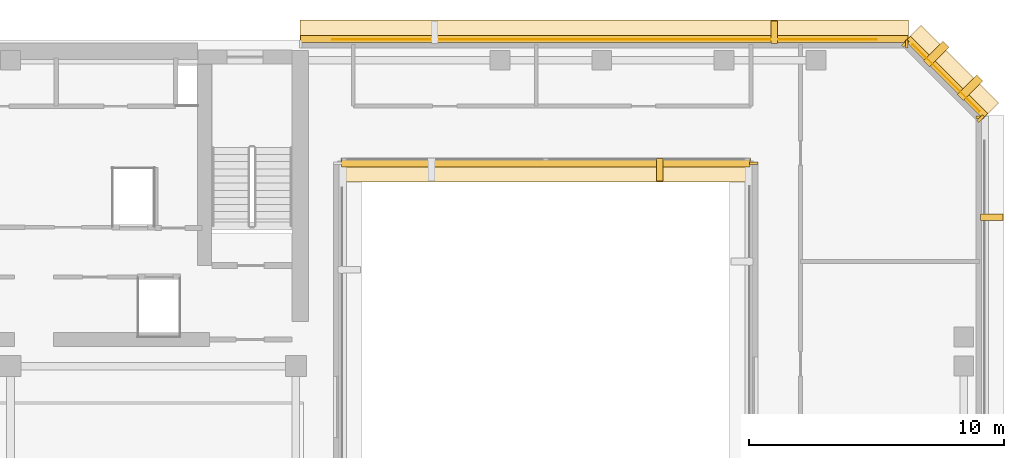
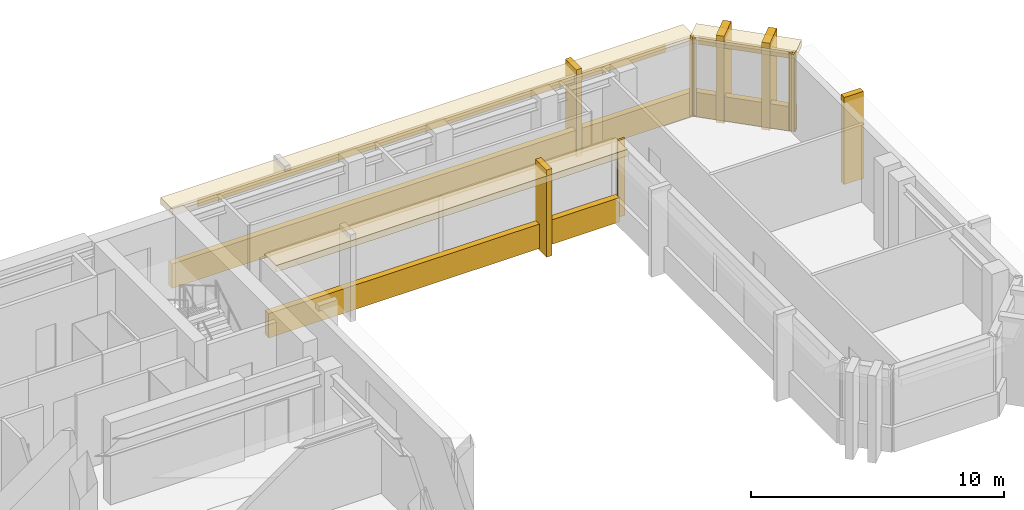
# One storey, part 11 of 11: 18 coverings.
"""IFC4 building model written with IfcOpenShell, lengths in metres."""

import ifcopenshell
import ifcopenshell.guid

model = None  # the IFC model being written
_history = None  # IfcOwnerHistory: only IFC2X3 demands one
_inside = {}  # id of a spatial element -> (the spatial element, [elements in it])
_under = {}  # id of a project, library or spatial element -> (it, [spatial elements below it])
_declared = {}  # id of a project -> (the project, [libraries it declares])
_typed = {}  # id of a type object -> (the type object, [elements of that type])
_made_of = {}  # id of a material, layer set ... -> (it, [elements and type objects made of it])


def new_model(schema):
    """Start an empty IFC model of exactly this schema.

    Asked for "IFC4X3", IfcOpenShell would pick the latest addendum, in which some entities
    have other attributes; the version numbers below select the first issue.
    IFC2X3 requires an IfcOwnerHistory on every rooted entity: one is made here for all.
    """
    global model, _history
    if schema == "IFC4X3":
        model = ifcopenshell.file(schema_version=(4, 3, 0, 0))
    else:
        model = ifcopenshell.file(schema=schema)
    _inside.clear()
    _under.clear()
    _declared.clear()
    _typed.clear()
    _made_of.clear()
    _history = None
    if model.schema == "IFC2X3":
        org = make("IfcOrganization", Name="unknown")
        user = make(
            "IfcPersonAndOrganization",
            ThePerson=make("IfcPerson", FamilyName="unknown"),
            TheOrganization=org,
        )
        app = make(
            "IfcApplication",
            ApplicationDeveloper=org,
            Version="unknown",
            ApplicationFullName="unknown",
            ApplicationIdentifier="unknown",
        )
        _history = make(
            "IfcOwnerHistory",
            OwningUser=user,
            OwningApplication=app,
            ChangeAction="ADDED",
            CreationDate=0,
        )
    return model


def make(cls, **values):
    """One entity of the class cls with the attributes given. An attribute that is None is left unset."""
    return model.create_entity(
        cls, **{name: value for name, value in values.items() if value is not None}
    )


def rooted(cls, **values):
    """An entity with a GlobalId (a new one), such as an element, a storey or a relation."""
    return make(cls, GlobalId=ifcopenshell.guid.new(), OwnerHistory=_history, **values)


def si_unit(unit_type, name, prefix=None):
    """IfcSIUnit, for example si_unit("LENGTHUNIT", "METRE", prefix="MILLI")."""
    return make("IfcSIUnit", UnitType=unit_type, Prefix=prefix, Name=name)


def assignment(units):
    """IfcUnitAssignment: the units of a project."""
    return None if units is None else make("IfcUnitAssignment", Units=units)


def point(xyz):
    """IfcCartesianPoint."""
    return None if xyz is None else make("IfcCartesianPoint", Coordinates=xyz)


def direction(xyz):
    """IfcDirection."""
    return None if xyz is None else make("IfcDirection", DirectionRatios=xyz)


def frame(location, z_axis=None, x_axis=None):
    """IfcAxis2Placement3D, a coordinate frame: its origin and axes. An axis left out is left unset."""
    return make(
        "IfcAxis2Placement3D",
        Location=point(location),
        Axis=direction(z_axis),
        RefDirection=direction(x_axis),
    )


def frame_2d(location, x_axis=None):
    """IfcAxis2Placement2D, a coordinate frame in the plane: its origin and x axis."""
    return make(
        "IfcAxis2Placement2D", Location=point(location), RefDirection=direction(x_axis)
    )


def origin():
    """The frame at (0, 0, 0) with its axes left unset."""
    return frame((0.0, 0.0, 0.0))


def origin_2d():
    """The frame at (0, 0) in the plane with its x axis left unset."""
    return frame_2d((0.0, 0.0))


def place(relative_to, where):
    """IfcLocalPlacement: puts the frame where relative to a parent placement (None: the world)."""
    return make(
        "IfcLocalPlacement", PlacementRelTo=relative_to, RelativePlacement=where
    )


def context(
    kind, dimensions, precision=None, world=None, true_north=None, identifier=None
):
    """IfcGeometricRepresentationContext, for example the 3D "Model" context."""
    return make(
        "IfcGeometricRepresentationContext",
        ContextIdentifier=identifier,
        ContextType=kind,
        CoordinateSpaceDimension=dimensions,
        Precision=precision,
        WorldCoordinateSystem=world,
        TrueNorth=true_north,
    )


def subcontext(parent, identifier, kind, view, scale=None):
    """IfcGeometricRepresentationSubContext, for example "Body" below "Model"."""
    return make(
        "IfcGeometricRepresentationSubContext",
        ContextIdentifier=identifier,
        ContextType=kind,
        ParentContext=parent,
        TargetScale=scale,
        TargetView=view,
    )


def project(units=None, contexts=None):
    """IfcProject with its units and contexts."""
    return rooted(
        "IfcProject",
        Name="project",
        RepresentationContexts=contexts,
        UnitsInContext=assignment(units),
    )


def spatial(cls, under=None, at=None, **own):
    """A site, building, storey or space (cls), placed at a placement, below another one or the project."""
    s = rooted(cls, ObjectPlacement=at, **own)
    if under is not None:
        _under.setdefault(under.id(), (under, []))[1].append(s)
    return s


def profile(cls, at=None, kind="AREA", **sizes):
    """A parametric profile (cls). Its sizes go by their IFC names, for example OverallWidth=200.0."""
    return make(cls, ProfileType=kind, Position=at, **sizes)


def rectangle(**sizes):
    """IfcRectangleProfileDef."""
    return profile("IfcRectangleProfileDef", **sizes)


def extrude(swept, where, along, depth):
    """IfcExtrudedAreaSolid: the profile swept, set in the frame where, extruded along a direction by depth."""
    return make(
        "IfcExtrudedAreaSolid",
        SweptArea=swept,
        Position=where,
        ExtrudedDirection=direction(along),
        Depth=depth,
    )


def shape(context_of_items, identifier, shape_type, items):
    """IfcShapeRepresentation: the items that make up one representation, for example the "Body"."""
    return make(
        "IfcShapeRepresentation",
        ContextOfItems=context_of_items,
        RepresentationIdentifier=identifier,
        RepresentationType=shape_type,
        Items=items,
    )


def material(Name=None, Category=None):
    """IfcMaterial."""
    return make("IfcMaterial", Name=Name, Category=Category)


def layer(
    of_material, thickness, ventilated=None, Name=None, Category=None, Priority=None
):
    """IfcMaterialLayer: one layer of a wall or slab, of a material (None: an air gap)."""
    return make(
        "IfcMaterialLayer",
        Material=of_material,
        LayerThickness=thickness,
        IsVentilated=ventilated,
        Name=Name,
        Category=Category,
        Priority=Priority,
    )


def layer_set(layers, Name=None):
    """IfcMaterialLayerSet."""
    return make("IfcMaterialLayerSet", MaterialLayers=layers, LayerSetName=Name)


def made_of(thing, what):
    """Note that an element or type object is made of a material, layer set ...; save() writes the relation."""
    if what is not None:
        _made_of.setdefault(what.id(), (what, []))[1].append(thing)
    return thing


def type_object(cls, material=None, **own):
    """A type object (cls), such as IfcWallType, which elements share."""
    return made_of(rooted(cls, **own), material)


def element(
    cls,
    number,
    at=None,
    inside=None,
    cuts=None,
    type_object=None,
    material=None,
    context=None,
    identifier="Body",
    shape_type=None,
    held_by="IfcProductDefinitionShape",
    body=None,
    shapes=None,
    **own,
):
    """One element of the class cls, such as IfcWall. Its Tag is "e" and its number.

    at: its placement. inside: the storey or other place that contains it. cuts: it is an
    opening in that element (IfcRelVoidsElement). A single representation is given by context,
    identifier, shape_type and body (its items); several are given by shapes. held_by: the class
    of the entity that holds the representations. save() writes the other relations.
    """
    e = rooted(cls, Tag="e%d" % number, ObjectPlacement=at, **own)
    if body is not None:
        shapes = [shape(context, identifier, shape_type, body)]
    if shapes is not None:
        e.Representation = make(held_by, Representations=shapes)
    if inside is not None:
        _inside.setdefault(inside.id(), (inside, []))[1].append(e)
    if cuts is not None:
        rooted(
            "IfcRelVoidsElement", RelatingBuildingElement=cuts, RelatedOpeningElement=e
        )
    if type_object is not None:
        _typed.setdefault(type_object.id(), (type_object, []))[1].append(e)
    return made_of(e, material)


def aggregate(whole, parts):
    """IfcRelAggregates: a whole, such as a stair, and the parts it consists of."""
    return rooted("IfcRelAggregates", RelatingObject=whole, RelatedObjects=parts)


def save(model, path):
    """Write the relations noted so far, then the file.

    IfcRelAggregates (storeys below a building ...), IfcRelContainedInSpatialStructure (elements
    in a storey), IfcRelDefinesByType, IfcRelAssociatesMaterial and IfcRelDeclares: one each for
    every whole, place, type object, material and project.
    """
    for whole, parts in _under.values():
        aggregate(whole, parts)
    for where, things in _inside.values():
        rooted(
            "IfcRelContainedInSpatialStructure",
            RelatedElements=things,
            RelatingStructure=where,
        )
    for kind, things in _typed.values():
        rooted("IfcRelDefinesByType", RelatedObjects=things, RelatingType=kind)
    for what, things in _made_of.values():
        rooted("IfcRelAssociatesMaterial", RelatedObjects=things, RelatingMaterial=what)
    for by, libraries in _declared.values():
        rooted("IfcRelDeclares", RelatingContext=by, RelatedDefinitions=libraries)
    model.write(path)


model = new_model("IFC4")

# Units and contexts
model_context = context("Model", 3, precision=1e-05, world=origin(), true_north=direction((0.0, 1.0)))
body_context = subcontext(model_context, "Body", "Model", "MODEL_VIEW")
ifc_project = project(units=[si_unit("LENGTHUNIT", "METRE"), si_unit("AREAUNIT", "SQUARE_METRE"), si_unit("VOLUMEUNIT", "CUBIC_METRE"), si_unit("PLANEANGLEUNIT", "RADIAN"), si_unit("MASSUNIT", "GRAM", prefix="KILO")], contexts=[model_context])

# Site, building, storey
site_placement = place(None, origin())
site = spatial("IfcSite", under=ifc_project, at=site_placement, CompositionType="ELEMENT")
building_placement = place(site_placement, origin())
building = spatial("IfcBuilding", under=site, at=building_placement, Name="Kefirva Bronze Tower", CompositionType="ELEMENT")
storey_placement = place(building_placement, frame((0.0, 0.0, 239.580078125)))
storey = spatial("IfcBuildingStorey", under=building, at=storey_placement, Name="L58", CompositionType="ELEMENT", Elevation=239.580078125)

# Coverings
ifc_material = material(Name="Bronze anodised aluminium", Category="aluminium")
ifc_layer_1 = layer(ifc_material, 0.02001953125, Name="Bronze anodised aluminium")
ifc_layer_set_1 = layer_set([ifc_layer_1], Name="Bronze anodised aluminium")
covering_type_1 = type_object("IfcCoveringType", Name="Anodised Bronze Spandrel Cladding 20mm", PredefinedType="CLADDING", material=ifc_layer_set_1)
covering_1_placement = place(storey_placement, frame((33.0, 41.159912109375, -0.16015625), z_axis=(0.0, 0.0, 1.0), x_axis=(1.0, 0.0, 0.0)))
element("IfcCovering", 1, at=covering_1_placement, inside=storey, type_object=covering_type_1, Name="L58 Streamline Horizontal Spandrel Band 6", PredefinedType="CLADDING", context=body_context, shape_type="SweptSolid", body=[
    extrude(rectangle(XDim=16.0400390625, YDim=0.280029296875, at=origin_2d()), origin(), (0.0, 0.0, 1.0), 1.179931640625),
])
for number, where, z_axis, x_axis, name in (
    (2, (41.159912109375, 41.1650390625, 0.0), (0.0, 0.0, 1.0), (0.0, -1.0, 0.0), "L58 Facade Joint Closure Panel 5S"),
    (3, (50.0400390625, 42.965087890625, 0.0), (0.0, 0.0, 1.0), (0.0, 1.0, 0.0), "L58 Facade Joint Closure Panel 9E"),
):
    element("IfcCovering", number, at=place(storey_placement, frame(where, z_axis=z_axis, x_axis=x_axis)), inside=storey, type_object=covering_type_1, Name=name, PredefinedType="CLADDING", context=body_context, shape_type="SweptSolid", body=[
        extrude(rectangle(XDim=0.10009765625, YDim=0.320068359375, at=origin_2d()), origin(), (0.0, 0.0, 1.0), 3.7099609375),
    ])
covering_2_placement = place(storey_placement, frame((48.70703125, 44.507080078125, 3.2900390625), z_axis=(0.0, 0.0, 1.0), x_axis=(-0.707106781187, 0.707106781187, 0.0)))
element("IfcCovering", 4, at=covering_2_placement, inside=storey, type_object=covering_type_1, Name="L58 Bronze Spandrel Cladding 10", PredefinedType="CLADDING", context=body_context, shape_type="SweptSolid", body=[
    extrude(rectangle(XDim=3.719482421875, YDim=0.02001953125, at=origin_2d()), origin(), (0.0, 0.0, 1.0), 0.39990234375),
])
for number, where, z_axis, x_axis, name in (
    (5, (50.06201171875, 42.91162109375, 0.0), (0.0, 0.0, 1.0), (-0.707106781187, 0.707106781187, 0.0), "L58 Facade Joint Closure Panel 10S"),
    (6, (47.11181640625, 45.862060546875, 0.0), (0.0, 0.0, 1.0), (-0.707106781187, 0.707106781187, 0.0), "L58 Facade Joint Closure Panel 10E"),
):
    element("IfcCovering", number, at=place(storey_placement, frame(where, z_axis=z_axis, x_axis=x_axis)), inside=storey, type_object=covering_type_1, Name=name, PredefinedType="CLADDING", context=body_context, shape_type="SweptSolid", body=[
        extrude(rectangle(XDim=0.10009765625, YDim=0.320068359375, at=origin_2d()), origin(), (0.0, 0.0, 1.0), 3.7099609375),
    ])
covering_3_placement = place(storey_placement, frame((48.728271484375, 44.5283203125, -0.16015625), z_axis=(0.0, 0.0, 1.0), x_axis=(-0.707106781187, 0.707106781187, 0.0)))
element("IfcCovering", 7, at=covering_3_placement, inside=storey, type_object=covering_type_1, Name="L58 Streamline Horizontal Spandrel Band 12", PredefinedType="CLADDING", context=body_context, shape_type="SweptSolid", body=[
    extrude(rectangle(XDim=4.28271484375, YDim=0.280029296875, at=origin_2d()), origin(), (0.0, 0.0, 1.0), 1.179931640625),
])
covering_4_placement = place(storey_placement, frame((35.302490234375, 46.010009765625, 3.2900390625), z_axis=(0.0, 0.0, 1.0), x_axis=(-1.0, 0.0, 0.0)))
element("IfcCovering", 8, at=covering_4_placement, inside=storey, type_object=covering_type_1, Name="L58 Bronze Spandrel Cladding 11", PredefinedType="CLADDING", context=body_context, shape_type="SweptSolid", body=[
    extrude(rectangle(XDim=21.365966796875, YDim=0.02001953125, at=origin_2d()), origin(), (0.0, 0.0, 1.0), 0.39990234375),
])
covering_5_placement = place(storey_placement, frame((47.1650390625, 45.840087890625, 0.0), z_axis=(0.0, 0.0, 1.0), x_axis=(-1.0, 0.0, 0.0)))
element("IfcCovering", 9, at=covering_5_placement, inside=storey, type_object=covering_type_1, Name="L58 Facade Joint Closure Panel 11S", PredefinedType="CLADDING", context=body_context, shape_type="SweptSolid", body=[
    extrude(rectangle(XDim=0.10009765625, YDim=0.320068359375, at=origin_2d()), origin(), (0.0, 0.0, 1.0), 3.7099609375),
])
covering_6_placement = place(storey_placement, frame((35.302490234375, 46.0400390625, -0.16015625), z_axis=(0.0, 0.0, 1.0), x_axis=(-1.0, 0.0, 0.0)))
element("IfcCovering", 10, at=covering_6_placement, inside=storey, type_object=covering_type_1, Name="L58 Streamline Horizontal Spandrel Band 13", PredefinedType="CLADDING", context=body_context, shape_type="SweptSolid", body=[
    extrude(rectangle(XDim=23.8349609375, YDim=0.280029296875, at=origin_2d()), origin(), (0.0, 0.0, 1.0), 1.179931640625),
])
ifc_layer_2 = layer(ifc_material, 0.179931640625, Name="Bronze anodised aluminium")
ifc_layer_set_2 = layer_set([ifc_layer_2], Name="Bronze anodised aluminium")
covering_type_2 = type_object("IfcCoveringType", Name="Streamline Bronze Sunshade Eyebrow Cladding 180mm", PredefinedType="CLADDING", material=ifc_layer_set_2)
covering_7_placement = place(storey_placement, frame((33.0, 40.889892578125, 3.3896484375), z_axis=(0.0, 0.0, 1.0), x_axis=(1.0, 0.0, 0.0)))
element("IfcCovering", 11, at=covering_7_placement, inside=storey, type_object=covering_type_2, Name="L58 Streamline Bronze Sunshade Eyebrow 6", PredefinedType="CLADDING", context=body_context, shape_type="SweptSolid", body=[
    extrude(rectangle(XDim=16.080078125, YDim=0.93994140625, at=origin_2d()), origin(), (0.0, 0.0, 1.0), 0.320068359375),
])
covering_8_placement = place(storey_placement, frame((48.919189453125, 44.71923828125, 3.3896484375), z_axis=(0.0, 0.0, 1.0), x_axis=(-0.707106781187, 0.707106781187, 0.0)))
element("IfcCovering", 12, at=covering_8_placement, inside=storey, type_object=covering_type_2, Name="L58 Streamline Bronze Sunshade Eyebrow 12", PredefinedType="CLADDING", context=body_context, shape_type="SweptSolid", body=[
    extrude(rectangle(XDim=4.322509765625, YDim=0.93994140625, at=origin_2d()), origin(), (0.0, 0.0, 1.0), 0.320068359375),
])
covering_9_placement = place(storey_placement, frame((35.302490234375, 46.31005859375, 3.3896484375), z_axis=(0.0, 0.0, 1.0), x_axis=(-1.0, 0.0, 0.0)))
element("IfcCovering", 13, at=covering_9_placement, inside=storey, type_object=covering_type_2, Name="L58 Streamline Bronze Sunshade Eyebrow 13", PredefinedType="CLADDING", context=body_context, shape_type="SweptSolid", body=[
    extrude(rectangle(XDim=23.875, YDim=0.93994140625, at=origin_2d()), origin(), (0.0, 0.0, 1.0), 0.320068359375),
])
ifc_layer_3 = layer(ifc_material, 0.260009765625, Name="Bronze anodised aluminium")
ifc_layer_set_3 = layer_set([ifc_layer_3], Name="Bronze anodised aluminium")
covering_type_3 = type_object("IfcCoveringType", Name="Unbroken Bronze Buttress Fin Cladding 260mm", PredefinedType="CLADDING", material=ifc_layer_set_3)
for number, where, z_axis, x_axis, name in (
    (14, (37.47998046875, 40.89990234375, -0.25), (0.0, 0.0, 1.0), (1.0, 0.0, 0.0), "L58 Unbroken Vertical Bronze Rib Fin 12"),
    (15, (50.5, 39.0400390625, -0.25), (0.0, 0.0, 1.0), (0.0, 1.0, 0.0), "L58 Unbroken Vertical Bronze Rib Fin 20"),
):
    element("IfcCovering", number, at=place(storey_placement, frame(where, z_axis=z_axis, x_axis=x_axis)), inside=storey, type_object=covering_type_3, Name=name, PredefinedType="CLADDING", context=body_context, shape_type="SweptSolid", body=[
        extrude(rectangle(XDim=0.260009765625, YDim=0.8798828125, at=origin_2d()), origin(), (0.0, 0.0, 1.0), 4.2099609375),
    ])
for number, where, z_axis, x_axis, name in (
    (16, (49.642822265625, 44.122802734375, -0.25), (0.0, 0.0, 1.0), (-0.707106781187, 0.707106781187, 0.0), "L58 Chamfered Corner Buttress Fin Cladding 21"),
    (17, (48.32275390625, 45.44287109375, -0.25), (0.0, 0.0, 1.0), (-0.707106781187, 0.707106781187, 0.0), "L58 Chamfered Corner Buttress Fin Cladding 22"),
):
    element("IfcCovering", number, at=place(storey_placement, frame(where, z_axis=z_axis, x_axis=x_axis)), inside=storey, type_object=covering_type_3, Name=name, PredefinedType="CLADDING", context=body_context, shape_type="SweptSolid", body=[
        extrude(rectangle(XDim=0.340087890625, YDim=1.080078125, at=origin_2d()), origin(), (0.0, 0.0, 1.0), 4.2099609375),
    ])
covering_10_placement = place(storey_placement, frame((41.965087890625, 46.300048828125, -0.25), z_axis=(0.0, 0.0, 1.0), x_axis=(-1.0, 0.0, 0.0)))
element("IfcCovering", 18, at=covering_10_placement, inside=storey, type_object=covering_type_3, Name="L58 Unbroken Vertical Bronze Rib Fin 23", PredefinedType="CLADDING", context=body_context, shape_type="SweptSolid", body=[
    extrude(rectangle(XDim=0.260009765625, YDim=0.8798828125, at=origin_2d()), origin(), (0.0, 0.0, 1.0), 4.2099609375),
])

save(model, "model.ifc")
